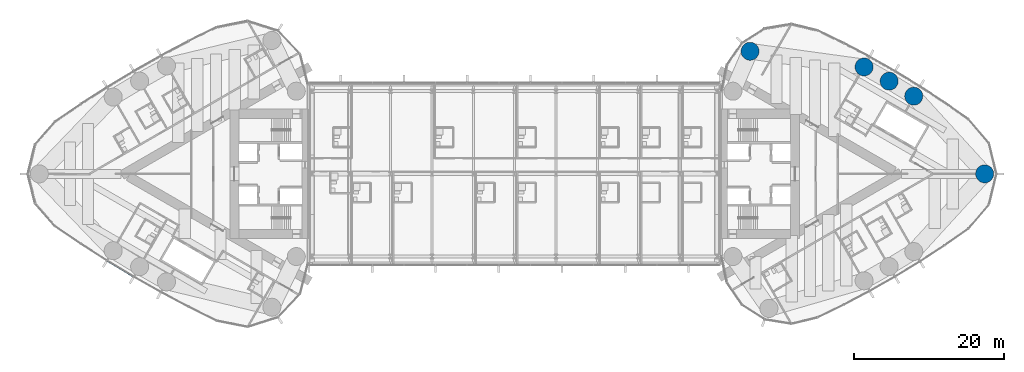
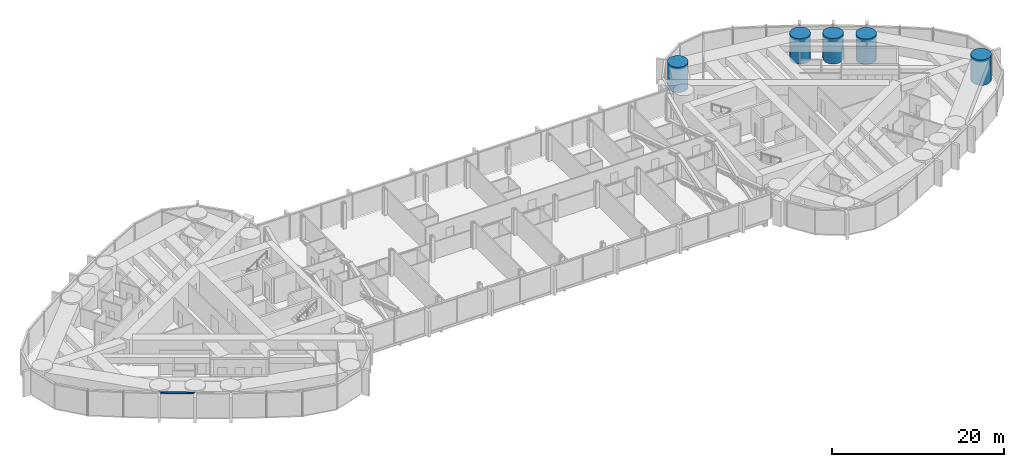
# One storey, part 2 of 24: 5 columns, 1 member, 1 element without a shape of its own.
"""IFC4 building model written with IfcOpenShell, lengths in metres."""

import ifcopenshell
import ifcopenshell.guid

model = None  # the IFC model being written
_history = None  # IfcOwnerHistory: only IFC2X3 demands one
_inside = {}  # id of a spatial element -> (the spatial element, [elements in it])
_under = {}  # id of a project, library or spatial element -> (it, [spatial elements below it])
_declared = {}  # id of a project -> (the project, [libraries it declares])
_typed = {}  # id of a type object -> (the type object, [elements of that type])
_made_of = {}  # id of a material, layer set ... -> (it, [elements and type objects made of it])


def new_model(schema):
    """Start an empty IFC model of exactly this schema.

    Asked for "IFC4X3", IfcOpenShell would pick the latest addendum, in which some entities
    have other attributes; the version numbers below select the first issue.
    IFC2X3 requires an IfcOwnerHistory on every rooted entity: one is made here for all.
    """
    global model, _history
    if schema == "IFC4X3":
        model = ifcopenshell.file(schema_version=(4, 3, 0, 0))
    else:
        model = ifcopenshell.file(schema=schema)
    _inside.clear()
    _under.clear()
    _declared.clear()
    _typed.clear()
    _made_of.clear()
    _history = None
    if model.schema == "IFC2X3":
        org = make("IfcOrganization", Name="unknown")
        user = make(
            "IfcPersonAndOrganization",
            ThePerson=make("IfcPerson", FamilyName="unknown"),
            TheOrganization=org,
        )
        app = make(
            "IfcApplication",
            ApplicationDeveloper=org,
            Version="unknown",
            ApplicationFullName="unknown",
            ApplicationIdentifier="unknown",
        )
        _history = make(
            "IfcOwnerHistory",
            OwningUser=user,
            OwningApplication=app,
            ChangeAction="ADDED",
            CreationDate=0,
        )
    return model


def make(cls, **values):
    """One entity of the class cls with the attributes given. An attribute that is None is left unset."""
    return model.create_entity(
        cls, **{name: value for name, value in values.items() if value is not None}
    )


def rooted(cls, **values):
    """An entity with a GlobalId (a new one), such as an element, a storey or a relation."""
    return make(cls, GlobalId=ifcopenshell.guid.new(), OwnerHistory=_history, **values)


def si_unit(unit_type, name, prefix=None):
    """IfcSIUnit, for example si_unit("LENGTHUNIT", "METRE", prefix="MILLI")."""
    return make("IfcSIUnit", UnitType=unit_type, Prefix=prefix, Name=name)


def assignment(units):
    """IfcUnitAssignment: the units of a project."""
    return None if units is None else make("IfcUnitAssignment", Units=units)


def point(xyz):
    """IfcCartesianPoint."""
    return None if xyz is None else make("IfcCartesianPoint", Coordinates=xyz)


def direction(xyz):
    """IfcDirection."""
    return None if xyz is None else make("IfcDirection", DirectionRatios=xyz)


def frame(location, z_axis=None, x_axis=None):
    """IfcAxis2Placement3D, a coordinate frame: its origin and axes. An axis left out is left unset."""
    return make(
        "IfcAxis2Placement3D",
        Location=point(location),
        Axis=direction(z_axis),
        RefDirection=direction(x_axis),
    )


def frame_2d(location, x_axis=None):
    """IfcAxis2Placement2D, a coordinate frame in the plane: its origin and x axis."""
    return make(
        "IfcAxis2Placement2D", Location=point(location), RefDirection=direction(x_axis)
    )


def origin():
    """The frame at (0, 0, 0) with its axes left unset."""
    return frame((0.0, 0.0, 0.0))


def origin_2d():
    """The frame at (0, 0) in the plane with its x axis left unset."""
    return frame_2d((0.0, 0.0))


def place(relative_to, where):
    """IfcLocalPlacement: puts the frame where relative to a parent placement (None: the world)."""
    return make(
        "IfcLocalPlacement", PlacementRelTo=relative_to, RelativePlacement=where
    )


def context(
    kind, dimensions, precision=None, world=None, true_north=None, identifier=None
):
    """IfcGeometricRepresentationContext, for example the 3D "Model" context."""
    return make(
        "IfcGeometricRepresentationContext",
        ContextIdentifier=identifier,
        ContextType=kind,
        CoordinateSpaceDimension=dimensions,
        Precision=precision,
        WorldCoordinateSystem=world,
        TrueNorth=true_north,
    )


def subcontext(parent, identifier, kind, view, scale=None):
    """IfcGeometricRepresentationSubContext, for example "Body" below "Model"."""
    return make(
        "IfcGeometricRepresentationSubContext",
        ContextIdentifier=identifier,
        ContextType=kind,
        ParentContext=parent,
        TargetScale=scale,
        TargetView=view,
    )


def project(units=None, contexts=None):
    """IfcProject with its units and contexts."""
    return rooted(
        "IfcProject",
        Name="project",
        RepresentationContexts=contexts,
        UnitsInContext=assignment(units),
    )


def spatial(cls, under=None, at=None, **own):
    """A site, building, storey or space (cls), placed at a placement, below another one or the project."""
    s = rooted(cls, ObjectPlacement=at, **own)
    if under is not None:
        _under.setdefault(under.id(), (under, []))[1].append(s)
    return s


def profile(cls, at=None, kind="AREA", **sizes):
    """A parametric profile (cls). Its sizes go by their IFC names, for example OverallWidth=200.0."""
    return make(cls, ProfileType=kind, Position=at, **sizes)


def rectangle(**sizes):
    """IfcRectangleProfileDef."""
    return profile("IfcRectangleProfileDef", **sizes)


def circle(**sizes):
    """IfcCircleProfileDef."""
    return profile("IfcCircleProfileDef", **sizes)


def extrude(swept, where, along, depth):
    """IfcExtrudedAreaSolid: the profile swept, set in the frame where, extruded along a direction by depth."""
    return make(
        "IfcExtrudedAreaSolid",
        SweptArea=swept,
        Position=where,
        ExtrudedDirection=direction(along),
        Depth=depth,
    )


def shape(context_of_items, identifier, shape_type, items):
    """IfcShapeRepresentation: the items that make up one representation, for example the "Body"."""
    return make(
        "IfcShapeRepresentation",
        ContextOfItems=context_of_items,
        RepresentationIdentifier=identifier,
        RepresentationType=shape_type,
        Items=items,
    )


def material(Name=None, Category=None):
    """IfcMaterial."""
    return make("IfcMaterial", Name=Name, Category=Category)


def material_profile(
    of_material, cross_section, Name=None, Category=None, Priority=None
):
    """IfcMaterialProfile: a cross section and its material."""
    return make(
        "IfcMaterialProfile",
        Name=Name,
        Material=of_material,
        Profile=cross_section,
        Priority=Priority,
        Category=Category,
    )


def profile_set(profiles, Name=None, composite=None):
    """IfcMaterialProfileSet."""
    return make(
        "IfcMaterialProfileSet",
        Name=Name,
        MaterialProfiles=profiles,
        CompositeProfile=composite,
    )


def made_of(thing, what):
    """Note that an element or type object is made of a material, layer set ...; save() writes the relation."""
    if what is not None:
        _made_of.setdefault(what.id(), (what, []))[1].append(thing)
    return thing


def type_object(cls, material=None, **own):
    """A type object (cls), such as IfcWallType, which elements share."""
    return made_of(rooted(cls, **own), material)


def element(
    cls,
    number,
    at=None,
    inside=None,
    cuts=None,
    type_object=None,
    material=None,
    context=None,
    identifier="Body",
    shape_type=None,
    held_by="IfcProductDefinitionShape",
    body=None,
    shapes=None,
    **own,
):
    """One element of the class cls, such as IfcWall. Its Tag is "e" and its number.

    at: its placement. inside: the storey or other place that contains it. cuts: it is an
    opening in that element (IfcRelVoidsElement). A single representation is given by context,
    identifier, shape_type and body (its items); several are given by shapes. held_by: the class
    of the entity that holds the representations. save() writes the other relations.
    """
    e = rooted(cls, Tag="e%d" % number, ObjectPlacement=at, **own)
    if body is not None:
        shapes = [shape(context, identifier, shape_type, body)]
    if shapes is not None:
        e.Representation = make(held_by, Representations=shapes)
    if inside is not None:
        _inside.setdefault(inside.id(), (inside, []))[1].append(e)
    if cuts is not None:
        rooted(
            "IfcRelVoidsElement", RelatingBuildingElement=cuts, RelatedOpeningElement=e
        )
    if type_object is not None:
        _typed.setdefault(type_object.id(), (type_object, []))[1].append(e)
    return made_of(e, material)


def aggregate(whole, parts):
    """IfcRelAggregates: a whole, such as a stair, and the parts it consists of."""
    return rooted("IfcRelAggregates", RelatingObject=whole, RelatedObjects=parts)


def save(model, path):
    """Write the relations noted so far, then the file.

    IfcRelAggregates (storeys below a building ...), IfcRelContainedInSpatialStructure (elements
    in a storey), IfcRelDefinesByType, IfcRelAssociatesMaterial and IfcRelDeclares: one each for
    every whole, place, type object, material and project.
    """
    for whole, parts in _under.values():
        aggregate(whole, parts)
    for where, things in _inside.values():
        rooted(
            "IfcRelContainedInSpatialStructure",
            RelatedElements=things,
            RelatingStructure=where,
        )
    for kind, things in _typed.values():
        rooted("IfcRelDefinesByType", RelatedObjects=things, RelatingType=kind)
    for what, things in _made_of.values():
        rooted("IfcRelAssociatesMaterial", RelatedObjects=things, RelatingMaterial=what)
    for by, libraries in _declared.values():
        rooted("IfcRelDeclares", RelatingContext=by, RelatedDefinitions=libraries)
    model.write(path)


model = new_model("IFC4")

# Units and contexts
model_context = context("Model", 3, precision=1e-05, world=origin(), true_north=direction((0.0, 1.0)))
body_context = subcontext(model_context, "Body", "Model", "MODEL_VIEW")
ifc_project = project(units=[si_unit("LENGTHUNIT", "METRE"), si_unit("AREAUNIT", "SQUARE_METRE"), si_unit("VOLUMEUNIT", "CUBIC_METRE"), si_unit("PLANEANGLEUNIT", "RADIAN"), si_unit("MASSUNIT", "GRAM", prefix="KILO")], contexts=[model_context])

# Site, building, storey
site_placement = place(None, origin())
site = spatial("IfcSite", under=ifc_project, at=site_placement, CompositionType="ELEMENT")
building_placement = place(site_placement, origin())
building = spatial("IfcBuilding", under=site, at=building_placement, Name="Lancet Gate Hotel", CompositionType="ELEMENT")
storey_placement = place(building_placement, frame((0.0, 0.0, 236.89990234375)))
storey = spatial("IfcBuildingStorey", under=building, at=storey_placement, Name="L63", CompositionType="ELEMENT", Elevation=236.89990234375)

# Columns
ifc_material_1 = material(Name="Concrete C50/60", Category="concrete")
ifc_material_profile_1 = material_profile(ifc_material_1, circle(Radius=1.199951171875, at=origin_2d()), Name="RC D2400")
ifc_profile_set_1 = profile_set([ifc_material_profile_1], Name="Concrete C50/60")
column_type = type_object("IfcColumnType", Name="Perimeter column RC D2400", PredefinedType="COLUMN", material=ifc_profile_set_1)
for number, where, z_axis, x_axis, name in (
    (1, (62.54150390625, 0.0, 0.0), (0.0, 0.0, 1.0), (1.0, 0.0, 0.0), "T2 column CA L63"),
    (2, (31.328369140625, 16.310791015625, 0.0), (0.0, 0.0, 1.0), (1.0, 0.0, 0.0), "T2 column CN L63"),
    (3, (53.107666015625, 10.333984375, 0.0), (0.0, 0.0, 1.0), (1.0, 0.0, 0.0), "T2 column ON1 L63"),
    (4, (49.833984375, 12.331787109375, 0.0), (0.0, 0.0, 1.0), (1.0, 0.0, 0.0), "T2 column ON2 L63"),
    (5, (46.499267578125, 14.2255859375, 0.0), (0.0, 0.0, 1.0), (1.0, 0.0, 0.0), "T2 column ON3 L63"),
):
    element("IfcColumn", number, at=place(storey_placement, frame(where, z_axis=z_axis, x_axis=x_axis)), inside=storey, type_object=column_type, Name=name, PredefinedType="COLUMN", context=body_context, shape_type="SweptSolid", body=[
        extrude(circle(Radius=1.199951171875, at=origin_2d()), origin(), (0.0, 0.0, 1.0), 3.60009765625),
    ])

# Curtain wall, member
ifc_material_2 = material(Name="Aluminium curtain wall", Category="aluminium")
curtain_wall_type = type_object("IfcCurtainWallType", Name="Tower unitised curtain wall", PredefinedType="USERDEFINED", material=ifc_material_2)
curtain_wall_placement = place(storey_placement, origin())
curtain_wall = element("IfcCurtainWall", 6, at=curtain_wall_placement, inside=storey, type_object=curtain_wall_type, Name="T1 L63 curtain wall 1", ObjectType="UNITISED CURTAIN WALL", PredefinedType="USERDEFINED")
ifc_material_3 = material(Name="Aluminium transom", Category="aluminium")
ifc_material_profile_2 = material_profile(ifc_material_3, rectangle(XDim=0.25, YDim=0.14990234375, at=origin_2d()), Name="TRANSOM 250x150")
ifc_profile_set_2 = profile_set([ifc_material_profile_2], Name="Aluminium transom")
member_type = type_object("IfcMemberType", Name="Aluminium transom 250x150", PredefinedType="USERDEFINED", material=ifc_profile_set_2)
member_placement = place(storey_placement, frame((-54.197998046875, -11.55224609375, 3.525146484375), z_axis=(0.856362214892, -0.516375596737, 0.0), x_axis=(0.516375596737, 0.856362214892, 0.0)))
member = element("IfcMember", 7, at=member_placement, type_object=member_type, Name="T1 L63 curtain wall 1 transom 17", ObjectType="TRANSOM", PredefinedType="USERDEFINED", context=body_context, shape_type="SweptSolid", body=[
    extrude(rectangle(XDim=0.25, YDim=0.14990234375, at=origin_2d()), origin(), (0.0, 0.0, 1.0), 4.08447265625),
])
aggregate(curtain_wall, [member])

save(model, "model.ifc")
